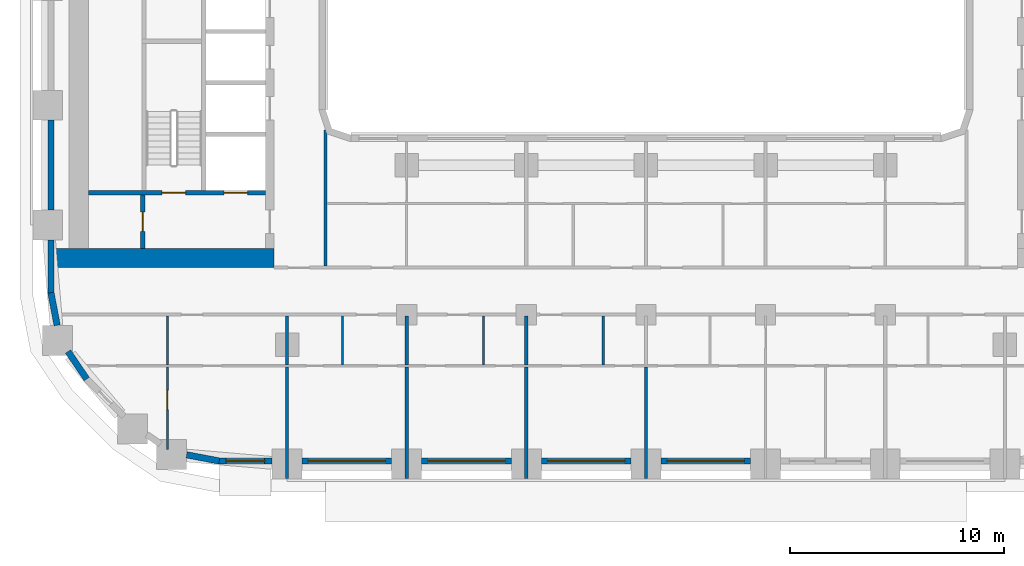
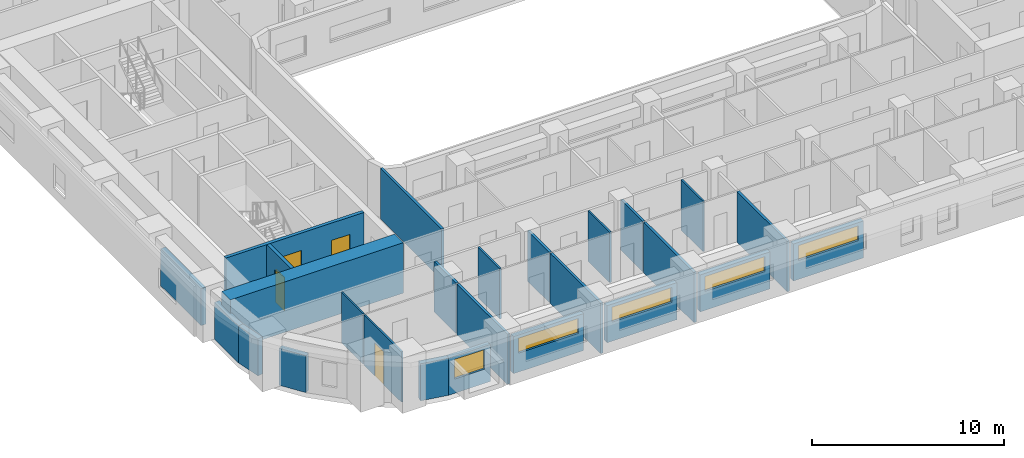
# One storey, part 2 of 22: 26 walls, 5 windows, 4 doors, 9 openings.
"""IFC4 building model written with IfcOpenShell, lengths in metres."""

from ifc_helpers import new_model, si_unit, direction, frame, frame_2d, origin, place, context, subcontext, project, spatial, rectangle, extrude, material, layer, layer_set, type_object, element, fill, save


model = new_model("IFC4")

# Units and contexts
model_context = context("Model", 3, precision=1e-05, world=origin(), true_north=direction((0.0, 1.0)))
body_context = subcontext(model_context, "Body", "Model", "MODEL_VIEW")
ifc_project = project(units=[si_unit("LENGTHUNIT", "METRE"), si_unit("AREAUNIT", "SQUARE_METRE"), si_unit("VOLUMEUNIT", "CUBIC_METRE"), si_unit("PLANEANGLEUNIT", "RADIAN"), si_unit("MASSUNIT", "GRAM", prefix="KILO")], contexts=[model_context])

# Site, building, storey
site_placement = place(None, origin())
site = spatial("IfcSite", under=ifc_project, at=site_placement, CompositionType="ELEMENT")
building_placement = place(site_placement, origin())
building = spatial("IfcBuilding", under=site, at=building_placement, Name="Kiln Ring Residences", CompositionType="ELEMENT")
storey_placement = place(building_placement, frame((0.0, 0.0, 65.5)))
storey = spatial("IfcBuildingStorey", under=building, at=storey_placement, Name="L16", CompositionType="ELEMENT", Elevation=65.5)

# Wall, opening, door
ifc_material_1 = material(Name="Gypsum board on steel studs", Category="steel")
ifc_layer_1 = layer(ifc_material_1, 0.199951171875)
ifc_layer_set_1 = layer_set([ifc_layer_1], Name="CORE-PARTITION-200")
wall_type_1 = type_object("IfcWallType", Name="CORE-PARTITION-200", PredefinedType="PARTITIONING", material=ifc_layer_set_1)
wall_1_placement = place(storey_placement, frame((-23.550048828125, -12.300048828125, 0.0), z_axis=(0.0, 0.0, 1.0), x_axis=(0.0, 1.0, 0.0)))
wall_1 = element("IfcWall", 1, at=wall_1_placement, inside=storey, type_object=wall_type_1, Name="Core partition west L16 5", PredefinedType="PARTITIONING", context=body_context, shape_type="SweptSolid", body=[
    extrude(rectangle(XDim=2.5, YDim=0.199951171875, at=frame_2d((1.25, 0.0))), origin(), (0.0, 0.0, 1.0), 3.199951171875),
])
opening_1_placement = place(wall_1_placement, frame((0.800048828125, 0.0, 0.0)))
opening_1 = element("IfcOpeningElement", 2, at=opening_1_placement, cuts=wall_1, Name="Opening L16-CW11", PredefinedType="OPENING", context=body_context, shape_type="SweptSolid", body=[
    extrude(rectangle(XDim=0.89990234375, YDim=2.10009765625, at=frame_2d((0.449951171875, 1.050048828125))), frame((0.0, 0.10986328125, 0.0), z_axis=(0.0, -1.0, 0.0), x_axis=(1.0, 0.0, 0.0)), (0.0, 0.0, 1.0), 0.219970703125),
])
ifc_material_2 = material(Name="Steel door leaf", Category="steel")
door_type_1 = type_object("IfcDoorType", Name="CORE-DOOR-ROOM", OperationType="SINGLE_SWING_LEFT", PredefinedType="DOOR", material=ifc_material_2)
door_1_placement = place(opening_1_placement, origin())
door_1 = element("IfcDoor", 3, at=door_1_placement, inside=storey, type_object=door_type_1, Name="Store L16-CW11", OperationType="SINGLE_SWING_LEFT", OverallHeight=2.10009765625, OverallWidth=0.89990234375, PredefinedType="DOOR", context=body_context, shape_type="SweptSolid", body=[
    extrude(rectangle(XDim=0.89990234375, YDim=2.10009765625, at=frame_2d((0.449951171875, 1.050048828125))), frame((0.0, 0.02490234375, 0.0), z_axis=(0.0, -1.0, 0.0), x_axis=(1.0, 0.0, 0.0)), (0.0, 0.0, 1.0), 0.050048828125),
])
fill(opening_1, door_1)

# Wall, openings, doors
ifc_material_3 = material(Name="Concrete C40/50", Category="concrete")
ifc_layer_2 = layer(ifc_material_3, 0.199951171875)
ifc_layer_set_2 = layer_set([ifc_layer_2], Name="CORE-WALL-RC200")
wall_type_2 = type_object("IfcWallType", Name="CORE-WALL-RC200", PredefinedType="SHEAR", material=ifc_layer_set_2)
wall_2_placement = place(storey_placement, frame((-17.800048828125, -9.699951171875, 0.0), z_axis=(0.0, 0.0, 1.0), x_axis=(-1.0, 0.0, 0.0)))
wall_2 = element("IfcWall", 4, at=wall_2_placement, inside=storey, type_object=wall_type_2, Name="Core wall west L16 8", PredefinedType="SHEAR", context=body_context, shape_type="SweptSolid", body=[
    extrude(rectangle(XDim=8.300048828125, YDim=0.199951171875, at=frame_2d((4.14990234375, 0.0))), origin(), (0.0, 0.0, 1.0), 3.199951171875),
])
opening_2_placement = place(wall_2_placement, frame((0.85009765625, 0.0, 0.0)))
opening_2 = element("IfcOpeningElement", 5, at=opening_2_placement, cuts=wall_2, Name="Opening L16-CW01", PredefinedType="OPENING", context=body_context, shape_type="SweptSolid", body=[
    extrude(rectangle(XDim=1.10009765625, YDim=2.10009765625, at=frame_2d((0.550048828125, 1.050048828125))), frame((0.0, 0.10986328125, 0.0), z_axis=(0.0, -1.0, 0.0), x_axis=(1.0, 0.0, 0.0)), (0.0, 0.0, 1.0), 0.219970703125),
])
opening_3_placement = place(wall_2_placement, frame((3.75, 0.0, 0.0)))
opening_3 = element("IfcOpeningElement", 6, at=opening_3_placement, cuts=wall_2, Name="Opening L16-CW13", PredefinedType="OPENING", context=body_context, shape_type="SweptSolid", body=[
    extrude(rectangle(XDim=1.10009765625, YDim=2.10009765625, at=frame_2d((0.550048828125, 1.050048828125))), frame((0.0, 0.10986328125, 0.0), z_axis=(0.0, -1.0, 0.0), x_axis=(1.0, 0.0, 0.0)), (0.0, 0.0, 1.0), 0.219970703125),
])
ifc_material_4 = material(Name="Steel door leaf", Category="steel")
door_type_2 = type_object("IfcDoorType", Name="CORE-DOOR-LD", OperationType="DOUBLE_DOOR_SLIDING", PredefinedType="DOOR", material=ifc_material_4)
door_2_placement = place(opening_2_placement, origin())
door_2 = element("IfcDoor", 7, at=door_2_placement, inside=storey, type_object=door_type_2, Name="LD W-SV L16-CW01", OperationType="DOUBLE_DOOR_SLIDING", OverallHeight=2.10009765625, OverallWidth=1.10009765625, PredefinedType="DOOR", context=body_context, shape_type="SweptSolid", body=[
    extrude(rectangle(XDim=1.10009765625, YDim=2.10009765625, at=frame_2d((0.550048828125, 1.050048828125))), frame((0.0, 0.02490234375, 0.0), z_axis=(0.0, -1.0, 0.0), x_axis=(1.0, 0.0, 0.0)), (0.0, 0.0, 1.0), 0.050048828125),
])
fill(opening_2, door_2)
ifc_material_5 = material(Name="Steel door leaf", Category="steel")
door_type_3 = type_object("IfcDoorType", Name="CORE-DOOR-STAIR", OperationType="SINGLE_SWING_LEFT", PredefinedType="DOOR", material=ifc_material_5)
door_3_placement = place(opening_3_placement, origin())
door_3 = element("IfcDoor", 8, at=door_3_placement, inside=storey, type_object=door_type_3, Name="Stair W-STS L16-CW13", OperationType="SINGLE_SWING_RIGHT", OverallHeight=2.10009765625, OverallWidth=1.10009765625, PredefinedType="DOOR", context=body_context, shape_type="SweptSolid", body=[
    extrude(rectangle(XDim=1.10009765625, YDim=2.10009765625, at=frame_2d((0.550048828125, 1.050048828125))), frame((0.0, 0.02490234375, 0.0), z_axis=(0.0, -1.0, 0.0), x_axis=(1.0, 0.0, 0.0)), (0.0, 0.0, 1.0), 0.050048828125),
])
fill(opening_3, door_3)

# Walls
ifc_material_6 = material(Name="Concrete C60/75", Category="concrete")
ifc_layer_3 = layer(ifc_material_6, 0.89990234375)
ifc_layer_set_3 = layer_set([ifc_layer_3], Name="CORE-WALL-RC900")
wall_type_3 = type_object("IfcWallType", Name="CORE-WALL-RC900", PredefinedType="SHEAR", material=ifc_layer_set_3)
wall_3_placement = place(storey_placement, frame((-17.39990234375, -12.75, 0.0), z_axis=(0.0, 0.0, 1.0), x_axis=(-1.0, 0.0, 0.0)))
element("IfcWall", 9, at=wall_3_placement, inside=storey, type_object=wall_type_3, Name="Core wall west L16 5", PredefinedType="SHEAR", context=body_context, shape_type="SweptSolid", body=[
    extrude(rectangle(XDim=10.400146484375, YDim=0.89990234375, at=frame_2d((5.2001953125, 0.0))), origin(), (0.0, 0.0, 1.0), 3.199951171875),
])
ifc_material_7 = material(Name="Brick masonry, dark clay brick", Category="masonry")
ifc_layer_4 = layer(ifc_material_7, 0.300048828125)
ifc_layer_set_4 = layer_set([ifc_layer_4], Name="EW-300 BRICK WALL")
wall_type_4 = type_object("IfcWallType", Name="EW-300 BRICK WALL", PredefinedType="SOLIDWALL", material=ifc_layer_set_4)
wall_4_placement = place(storey_placement, frame((-21.50048828125, -21.961181640625, 0.0), z_axis=(0.0, 0.0, 1.0), x_axis=(0.982297345734, -0.187328386968, 0.0)))
element("IfcWall", 10, at=wall_4_placement, inside=storey, type_object=wall_type_4, Name="Facade wall L16 3", PredefinedType="SOLIDWALL", context=body_context, shape_type="SweptSolid", body=[
    extrude(rectangle(XDim=1.55615234375, YDim=0.300048828125, at=frame_2d((0.778076171875, 0.0))), origin(), (0.0, 0.0, 1.0), 2.35009765625),
])

# Wall, opening, window
wall_5_placement = place(storey_placement, frame((-20.0, -22.25, 0.0), z_axis=(0.0, 0.0, 1.0), x_axis=(1.0, 0.0, 0.0)))
wall_5 = element("IfcWall", 11, at=wall_5_placement, inside=storey, type_object=wall_type_4, Name="Facade wall L16 4", PredefinedType="SOLIDWALL", context=body_context, shape_type="SweptSolid", body=[
    extrude(rectangle(XDim=2.5, YDim=0.300048828125, at=frame_2d((1.25, 0.0))), origin(), (0.0, 0.0, 1.0), 2.35009765625),
])
opening_4_placement = place(wall_5_placement, frame((0.35009765625, 0.0, 0.89990234375)))
opening_4 = element("IfcOpeningElement", 12, at=opening_4_placement, cuts=wall_5, Name="Opening W2", PredefinedType="OPENING", context=body_context, shape_type="SweptSolid", body=[
    extrude(rectangle(XDim=1.800048828125, YDim=1.25, at=frame_2d((0.89990234375, 0.625))), frame((0.0, 0.159912109375, 0.0), z_axis=(0.0, -1.0, 0.0), x_axis=(1.0, 0.0, 0.0)), (0.0, 0.0, 1.0), 0.320068359375),
])
ifc_material_8 = material(Name="Aluminium frame with double glazing", Category="aluminium")
window_type_1 = type_object("IfcWindowType", Name="WINDOW 1800 x 1250", PartitioningType="SINGLE_PANEL", PredefinedType="WINDOW", material=ifc_material_8)
window_1_placement = place(opening_4_placement, origin())
window_1 = element("IfcWindow", 13, at=window_1_placement, inside=storey, type_object=window_type_1, Name="Window L16 2", OverallHeight=1.25, OverallWidth=1.800048828125, PartitioningType="SINGLE_PANEL", PredefinedType="WINDOW", context=body_context, shape_type="SweptSolid", body=[
    extrude(rectangle(XDim=1.800048828125, YDim=1.25, at=frame_2d((0.89990234375, 0.625))), frame((0.0, 0.030029296875, 0.0), z_axis=(0.0, -1.0, 0.0), x_axis=(1.0, 0.0, 0.0)), (0.0, 0.0, 1.0), 0.06005859375),
])
fill(opening_4, window_1)

wall_6_placement = place(storey_placement, frame((-16.10009765625, -22.25, 0.0), z_axis=(0.0, 0.0, 1.0), x_axis=(1.0, 0.0, 0.0)))
wall_6 = element("IfcWall", 14, at=wall_6_placement, inside=storey, type_object=wall_type_4, Name="Facade wall L16 5", PredefinedType="SOLIDWALL", context=body_context, shape_type="SweptSolid", body=[
    extrude(rectangle(XDim=4.2001953125, YDim=0.300048828125, at=frame_2d((2.10009765625, 0.0))), origin(), (0.0, 0.0, 1.0), 2.35009765625),
])
opening_5_placement = place(wall_6_placement, frame((0.300048828125, 0.0, 1.199951171875)))
opening_5 = element("IfcOpeningElement", 15, at=opening_5_placement, cuts=wall_6, Name="Opening W4", PredefinedType="OPENING", context=body_context, shape_type="SweptSolid", body=[
    extrude(rectangle(XDim=3.60009765625, YDim=0.949951171875, at=frame_2d((1.800048828125, 0.47509765625))), frame((0.0, 0.159912109375, 0.0), z_axis=(0.0, -1.0, 0.0), x_axis=(1.0, 0.0, 0.0)), (0.0, 0.0, 1.0), 0.320068359375),
])
ifc_material_9 = material(Name="Aluminium frame with double glazing", Category="aluminium")
window_type_2 = type_object("IfcWindowType", Name="WINDOW 3600 x 950", PartitioningType="SINGLE_PANEL", PredefinedType="WINDOW", material=ifc_material_9)
window_2_placement = place(opening_5_placement, origin())
window_2 = element("IfcWindow", 16, at=window_2_placement, inside=storey, type_object=window_type_2, Name="Window L16 3", OverallHeight=0.949951171875, OverallWidth=3.60009765625, PartitioningType="SINGLE_PANEL", PredefinedType="WINDOW", context=body_context, shape_type="SweptSolid", body=[
    extrude(rectangle(XDim=3.60009765625, YDim=0.949951171875, at=frame_2d((1.800048828125, 0.47509765625))), frame((0.0, 0.030029296875, 0.0), z_axis=(0.0, -1.0, 0.0), x_axis=(1.0, 0.0, 0.0)), (0.0, 0.0, 1.0), 0.06005859375),
])
fill(opening_5, window_2)

wall_7_placement = place(storey_placement, frame((-10.5, -22.25, 0.0), z_axis=(0.0, 0.0, 1.0), x_axis=(1.0, 0.0, 0.0)))
wall_7 = element("IfcWall", 17, at=wall_7_placement, inside=storey, type_object=wall_type_4, Name="Facade wall L16 6", PredefinedType="SOLIDWALL", context=body_context, shape_type="SweptSolid", body=[
    extrude(rectangle(XDim=4.199951171875, YDim=0.300048828125, at=frame_2d((2.10009765625, 0.0))), origin(), (0.0, 0.0, 1.0), 2.35009765625),
])
opening_6_placement = place(wall_7_placement, frame((0.300048828125, 0.0, 1.199951171875)))
opening_6 = element("IfcOpeningElement", 18, at=opening_6_placement, cuts=wall_7, Name="Opening W4", PredefinedType="OPENING", context=body_context, shape_type="SweptSolid", body=[
    extrude(rectangle(XDim=3.60009765625, YDim=0.949951171875, at=frame_2d((1.800048828125, 0.47509765625))), frame((0.0, 0.159912109375, 0.0), z_axis=(0.0, -1.0, 0.0), x_axis=(1.0, 0.0, 0.0)), (0.0, 0.0, 1.0), 0.320068359375),
])
window_3_placement = place(opening_6_placement, origin())
window_3 = element("IfcWindow", 19, at=window_3_placement, inside=storey, type_object=window_type_2, Name="Window L16 4", OverallHeight=0.949951171875, OverallWidth=3.60009765625, PartitioningType="SINGLE_PANEL", PredefinedType="WINDOW", context=body_context, shape_type="SweptSolid", body=[
    extrude(rectangle(XDim=3.60009765625, YDim=0.949951171875, at=frame_2d((1.800048828125, 0.47509765625))), frame((0.0, 0.030029296875, 0.0), z_axis=(0.0, -1.0, 0.0), x_axis=(1.0, 0.0, 0.0)), (0.0, 0.0, 1.0), 0.06005859375),
])
fill(opening_6, window_3)

wall_8_placement = place(storey_placement, frame((-4.89990234375, -22.25, 0.0), z_axis=(0.0, 0.0, 1.0), x_axis=(1.0, 0.0, 0.0)))
wall_8 = element("IfcWall", 20, at=wall_8_placement, inside=storey, type_object=wall_type_4, Name="Facade wall L16 7", PredefinedType="SOLIDWALL", context=body_context, shape_type="SweptSolid", body=[
    extrude(rectangle(XDim=4.199951171875, YDim=0.300048828125, at=frame_2d((2.10009765625, 0.0))), origin(), (0.0, 0.0, 1.0), 2.35009765625),
])
opening_7_placement = place(wall_8_placement, frame((0.300048828125, 0.0, 1.199951171875)))
opening_7 = element("IfcOpeningElement", 21, at=opening_7_placement, cuts=wall_8, Name="Opening W4", PredefinedType="OPENING", context=body_context, shape_type="SweptSolid", body=[
    extrude(rectangle(XDim=3.60009765625, YDim=0.949951171875, at=frame_2d((1.800048828125, 0.47509765625))), frame((0.0, 0.159912109375, 0.0), z_axis=(0.0, -1.0, 0.0), x_axis=(1.0, 0.0, 0.0)), (0.0, 0.0, 1.0), 0.320068359375),
])
window_4_placement = place(opening_7_placement, origin())
window_4 = element("IfcWindow", 22, at=window_4_placement, inside=storey, type_object=window_type_2, Name="Window L16 5", OverallHeight=0.949951171875, OverallWidth=3.60009765625, PartitioningType="SINGLE_PANEL", PredefinedType="WINDOW", context=body_context, shape_type="SweptSolid", body=[
    extrude(rectangle(XDim=3.60009765625, YDim=0.949951171875, at=frame_2d((1.800048828125, 0.47509765625))), frame((0.0, 0.030029296875, 0.0), z_axis=(0.0, -1.0, 0.0), x_axis=(1.0, 0.0, 0.0)), (0.0, 0.0, 1.0), 0.06005859375),
])
fill(opening_7, window_4)

wall_9_placement = place(storey_placement, frame((0.699951171875, -22.25, 0.0), z_axis=(0.0, 0.0, 1.0), x_axis=(1.0, 0.0, 0.0)))
wall_9 = element("IfcWall", 23, at=wall_9_placement, inside=storey, type_object=wall_type_4, Name="Facade wall L16 8", PredefinedType="SOLIDWALL", context=body_context, shape_type="SweptSolid", body=[
    extrude(rectangle(XDim=4.199951171875, YDim=0.300048828125, at=frame_2d((2.10009765625, 0.0))), origin(), (0.0, 0.0, 1.0), 2.35009765625),
])
opening_8_placement = place(wall_9_placement, frame((0.300048828125, 0.0, 1.199951171875)))
opening_8 = element("IfcOpeningElement", 24, at=opening_8_placement, cuts=wall_9, Name="Opening W4", PredefinedType="OPENING", context=body_context, shape_type="SweptSolid", body=[
    extrude(rectangle(XDim=3.60009765625, YDim=0.949951171875, at=frame_2d((1.800048828125, 0.47509765625))), frame((0.0, 0.159912109375, 0.0), z_axis=(0.0, -1.0, 0.0), x_axis=(1.0, 0.0, 0.0)), (0.0, 0.0, 1.0), 0.320068359375),
])
window_5_placement = place(opening_8_placement, origin())
window_5 = element("IfcWindow", 25, at=window_5_placement, inside=storey, type_object=window_type_2, Name="Window L16 6", OverallHeight=0.949951171875, OverallWidth=3.60009765625, PartitioningType="SINGLE_PANEL", PredefinedType="WINDOW", context=body_context, shape_type="SweptSolid", body=[
    extrude(rectangle(XDim=3.60009765625, YDim=0.949951171875, at=frame_2d((1.800048828125, 0.47509765625))), frame((0.0, 0.030029296875, 0.0), z_axis=(0.0, -1.0, 0.0), x_axis=(1.0, 0.0, 0.0)), (0.0, 0.0, 1.0), 0.06005859375),
])
fill(opening_8, window_5)

# Walls
wall_10_placement = place(storey_placement, frame((-27.85009765625, -6.300048828125, 0.0), z_axis=(0.0, 0.0, 1.0), x_axis=(0.0, -1.0, 0.0)))
element("IfcWall", 26, at=wall_10_placement, inside=storey, type_object=wall_type_4, Name="Facade wall L16 45", PredefinedType="SOLIDWALL", context=body_context, shape_type="SweptSolid", body=[
    extrude(rectangle(XDim=4.199951171875, YDim=0.300048828125, at=frame_2d((2.10009765625, 0.0))), origin(), (0.0, 0.0, 1.0), 2.35009765625),
])
wall_11_placement = place(storey_placement, frame((-27.85009765625, -11.89990234375, 0.0), z_axis=(0.0, 0.0, 1.0), x_axis=(0.0, -1.0, 0.0)))
element("IfcWall", 27, at=wall_11_placement, inside=storey, type_object=wall_type_4, Name="Facade wall L16 46", PredefinedType="SOLIDWALL", context=body_context, shape_type="SweptSolid", body=[
    extrude(rectangle(XDim=2.5, YDim=0.300048828125, at=frame_2d((1.25, 0.0))), origin(), (0.0, 0.0, 1.0), 2.35009765625),
])
for number, where, z_axis, x_axis, name in (
    (28, (-27.8525390625, -14.371826171875, 0.0), (0.0, 0.0, 1.0), (0.187328386968, -0.982297345734, 0.0), "Facade wall L16 47"),
    (29, (-27.053466796875, -17.125732421875, 0.0), (0.0, 0.0, 1.0), (0.56199241657, -0.827142384187, 0.0), "Facade wall L16 48"),
):
    element("IfcWall", number, at=place(storey_placement, frame(where, z_axis=z_axis, x_axis=x_axis)), inside=storey, type_object=wall_type_4, Name=name, PredefinedType="SOLIDWALL", context=body_context, shape_type="SweptSolid", body=[
        extrude(rectangle(XDim=1.55615234375, YDim=0.300048828125, at=frame_2d((0.778076171875, 0.0))), origin(), (0.0, 0.0, 1.0), 2.35009765625),
    ])

# Wall, opening, door
ifc_material_10 = material(Name="Gypsum board on steel studs", Category="steel")
ifc_layer_5 = layer(ifc_material_10, 0.10009765625)
ifc_layer_set_5 = layer_set([ifc_layer_5], Name="PARTITION-100")
wall_type_5 = type_object("IfcWallType", Name="PARTITION-100", PredefinedType="PARTITIONING", material=ifc_layer_set_5)
wall_12_placement = place(storey_placement, frame((-22.39990234375, -21.719970703125, 0.0), z_axis=(0.0, 0.0, 1.0), x_axis=(0.0, 1.0, 0.0)))
wall_12 = element("IfcWall", 30, at=wall_12_placement, inside=storey, type_object=wall_type_5, Name="Partition 008", PredefinedType="PARTITIONING", context=body_context, shape_type="SweptSolid", body=[
    extrude(rectangle(XDim=3.869873046875, YDim=0.10009765625, at=frame_2d((1.93505859375, 0.0))), origin(), (0.0, 0.0, 1.0), 3.199951171875),
])
opening_9_placement = place(wall_12_placement, frame((1.8701171875, 0.0, 0.0)))
opening_9 = element("IfcOpeningElement", 31, at=opening_9_placement, cuts=wall_12, Name="Opening L16-D060", PredefinedType="OPENING", context=body_context, shape_type="SweptSolid", body=[
    extrude(rectangle(XDim=0.89990234375, YDim=2.10009765625, at=frame_2d((0.449951171875, 1.050048828125))), frame((0.0, 0.06005859375, 0.0), z_axis=(0.0, -1.0, 0.0), x_axis=(1.0, 0.0, 0.0)), (0.0, 0.0, 1.0), 0.1201171875),
])
ifc_material_11 = material(Name="Timber door leaf", Category="wood")
door_type_4 = type_object("IfcDoorType", Name="FLAT-DOOR-900-PL", OperationType="SINGLE_SWING_LEFT", PredefinedType="DOOR", material=ifc_material_11)
door_4_placement = place(opening_9_placement, origin())
door_4 = element("IfcDoor", 32, at=door_4_placement, inside=storey, type_object=door_type_4, Name="Door L16-D060", OperationType="SINGLE_SWING_LEFT", OverallHeight=2.10009765625, OverallWidth=0.89990234375, PredefinedType="DOOR", context=body_context, shape_type="SweptSolid", body=[
    extrude(rectangle(XDim=0.89990234375, YDim=2.10009765625, at=frame_2d((0.449951171875, 1.050048828125))), frame((0.0, 0.02490234375, 0.0), z_axis=(0.0, -1.0, 0.0), x_axis=(1.0, 0.0, 0.0)), (0.0, 0.0, 1.0), 0.050048828125),
])
fill(opening_9, door_4)

# Walls
for number, where, z_axis, x_axis, name in (
    (33, (-22.39990234375, -17.75, 0.0), (0.0, 0.0, 1.0), (0.0, 1.0, 0.0), "Partition 009"),
    (34, (-14.199951171875, -17.75, 0.0), (0.0, 0.0, 1.0), (0.0, 1.0, 0.0), "Partition 019"),
    (35, (-7.60009765625, -17.75, 0.0), (0.0, 0.0, 1.0), (0.0, 1.0, 0.0), "Partition 029"),
    (36, (-2.0, -17.75, 0.0), (0.0, 0.0, 1.0), (0.0, 1.0, 0.0), "Partition 040"),
):
    element("IfcWall", number, at=place(storey_placement, frame(where, z_axis=z_axis, x_axis=x_axis)), inside=storey, type_object=wall_type_5, Name=name, PredefinedType="PARTITIONING", context=body_context, shape_type="SweptSolid", body=[
        extrude(rectangle(XDim=2.27490234375, YDim=0.10009765625, at=frame_2d((1.137451171875, 0.0))), origin(), (0.0, 0.0, 1.0), 3.199951171875),
    ])
ifc_material_12 = material(Name="Brick masonry partition", Category="masonry")
ifc_layer_6 = layer(ifc_material_12, 0.14990234375)
ifc_layer_set_6 = layer_set([ifc_layer_6], Name="PARTITION-150-ei60")
wall_type_6 = type_object("IfcWallType", Name="PARTITION-150-ei60", PredefinedType="PARTITIONING", material=ifc_layer_set_6)
wall_13_placement = place(storey_placement, frame((-16.800048828125, -23.080078125, 0.0), z_axis=(0.0, 0.0, 1.0), x_axis=(0.0, 1.0, 0.0)))
element("IfcWall", 37, at=wall_13_placement, inside=storey, type_object=wall_type_6, Name="Partition 012", PredefinedType="PARTITIONING", context=body_context, shape_type="SweptSolid", body=[
    extrude(rectangle(XDim=5.22998046875, YDim=0.14990234375, at=frame_2d((2.614990234375, 0.0))), origin(), (0.0, 0.0, 1.0), 3.199951171875),
])
wall_14_placement = place(storey_placement, frame((-16.800048828125, -17.75, 0.0), z_axis=(0.0, 0.0, 1.0), x_axis=(0.0, 1.0, 0.0)))
element("IfcWall", 38, at=wall_14_placement, inside=storey, type_object=wall_type_6, Name="Partition 013", PredefinedType="PARTITIONING", context=body_context, shape_type="SweptSolid", body=[
    extrude(rectangle(XDim=2.27490234375, YDim=0.14990234375, at=frame_2d((1.137451171875, 0.0))), origin(), (0.0, 0.0, 1.0), 3.199951171875),
])
wall_15_placement = place(storey_placement, frame((-15.0, -13.125, 0.0), z_axis=(0.0, 0.0, 1.0), x_axis=(0.0, 1.0, 0.0)))
element("IfcWall", 39, at=wall_15_placement, inside=storey, type_object=wall_type_6, Name="Partition 016", PredefinedType="PARTITIONING", context=body_context, shape_type="SweptSolid", body=[
    extrude(rectangle(XDim=6.356201171875, YDim=0.14990234375, at=frame_2d((3.17822265625, 0.0))), origin(), (0.0, 0.0, 1.0), 3.199951171875),
])
wall_16_placement = place(storey_placement, frame((-11.199951171875, -23.080078125, 0.0), z_axis=(0.0, 0.0, 1.0), x_axis=(0.0, 1.0, 0.0)))
element("IfcWall", 40, at=wall_16_placement, inside=storey, type_object=wall_type_6, Name="Partition 024", PredefinedType="PARTITIONING", context=body_context, shape_type="SweptSolid", body=[
    extrude(rectangle(XDim=5.22998046875, YDim=0.14990234375, at=frame_2d((2.614990234375, 0.0))), origin(), (0.0, 0.0, 1.0), 3.199951171875),
])
wall_17_placement = place(storey_placement, frame((-11.199951171875, -17.75, 0.0), z_axis=(0.0, 0.0, 1.0), x_axis=(0.0, 1.0, 0.0)))
element("IfcWall", 41, at=wall_17_placement, inside=storey, type_object=wall_type_6, Name="Partition 025", PredefinedType="PARTITIONING", context=body_context, shape_type="SweptSolid", body=[
    extrude(rectangle(XDim=2.27490234375, YDim=0.14990234375, at=frame_2d((1.137451171875, 0.0))), origin(), (0.0, 0.0, 1.0), 3.199951171875),
])
wall_18_placement = place(storey_placement, frame((-5.60009765625, -23.080078125, 0.0), z_axis=(0.0, 0.0, 1.0), x_axis=(0.0, 1.0, 0.0)))
element("IfcWall", 42, at=wall_18_placement, inside=storey, type_object=wall_type_6, Name="Partition 030", PredefinedType="PARTITIONING", context=body_context, shape_type="SweptSolid", body=[
    extrude(rectangle(XDim=5.22998046875, YDim=0.14990234375, at=frame_2d((2.614990234375, 0.0))), origin(), (0.0, 0.0, 1.0), 3.199951171875),
])
wall_19_placement = place(storey_placement, frame((-5.60009765625, -17.75, 0.0), z_axis=(0.0, 0.0, 1.0), x_axis=(0.0, 1.0, 0.0)))
element("IfcWall", 43, at=wall_19_placement, inside=storey, type_object=wall_type_6, Name="Partition 031", PredefinedType="PARTITIONING", context=body_context, shape_type="SweptSolid", body=[
    extrude(rectangle(XDim=2.27490234375, YDim=0.14990234375, at=frame_2d((1.137451171875, 0.0))), origin(), (0.0, 0.0, 1.0), 3.199951171875),
])
wall_20_placement = place(storey_placement, frame((0.0, -23.080078125, 0.0), z_axis=(0.0, 0.0, 1.0), x_axis=(0.0, 1.0, 0.0)))
element("IfcWall", 44, at=wall_20_placement, inside=storey, type_object=wall_type_6, Name="Partition 043", PredefinedType="PARTITIONING", context=body_context, shape_type="SweptSolid", body=[
    extrude(rectangle(XDim=5.22998046875, YDim=0.14990234375, at=frame_2d((2.614990234375, 0.0))), origin(), (0.0, 0.0, 1.0), 3.199951171875),
])

save(model, "model.ifc")
